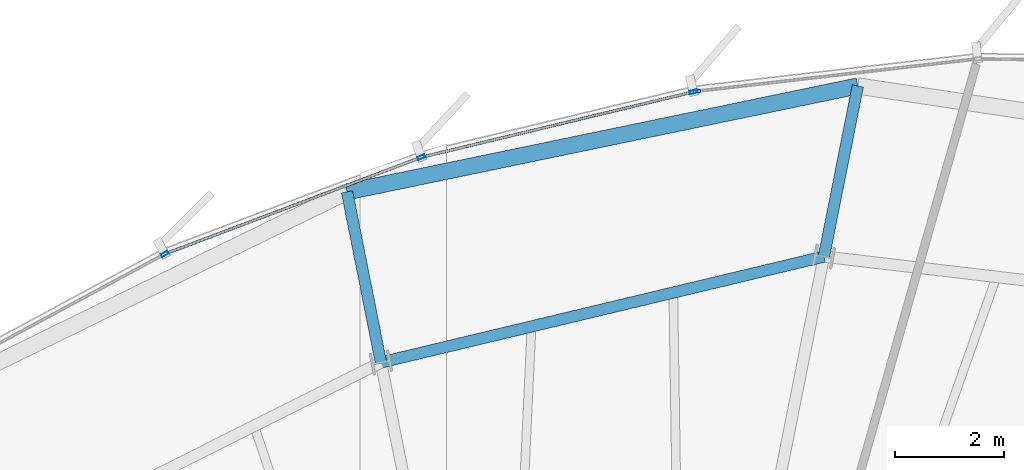
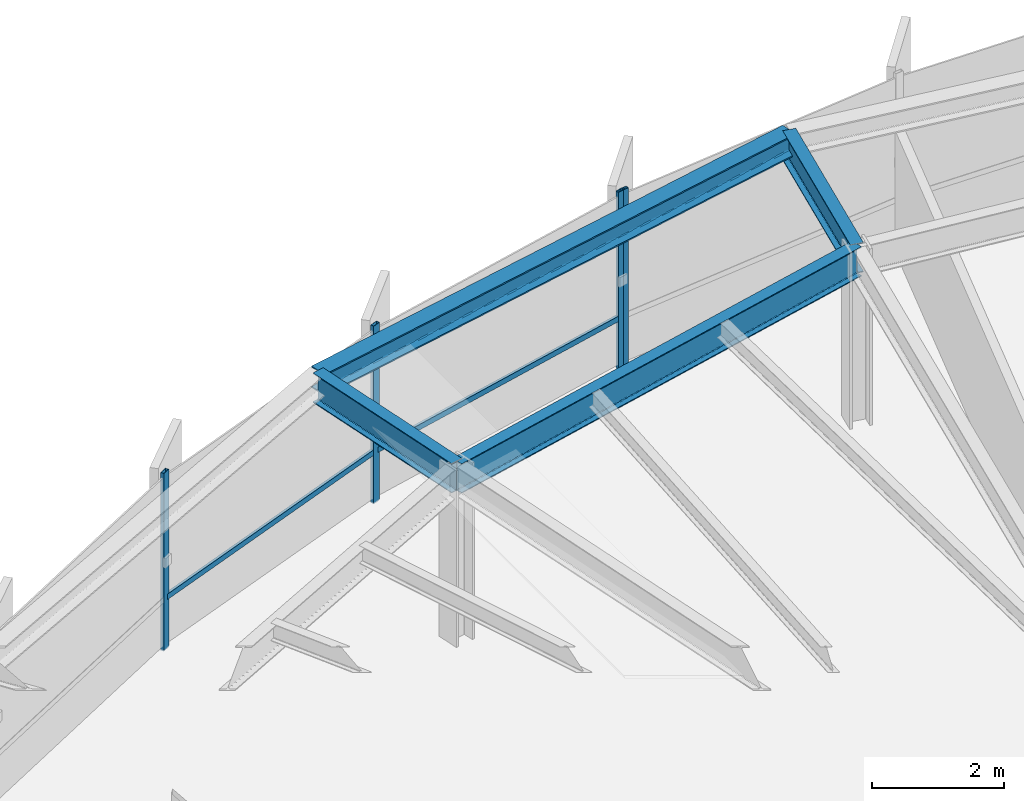
# One storey, part 24 of 36: 6 members, 4 beams, 2 elements without a shape of their own.
"""IFC4 building model written with IfcOpenShell, lengths in metres."""

from ifc_helpers import new_model, si_unit, direction, frame, origin, origin_2d, place, context, subcontext, project, spatial, hollow_rectangle, i_section, extrude, source, transform, mapped, material, layer, layer_set, material_profile, profile_set, type_object, element, aggregate, save


model = new_model("IFC4")

# Units and contexts
model_context = context("Model", 3, precision=1e-05, world=origin(), true_north=direction((0.0, 1.0)))
body_context = subcontext(model_context, "Body", "Model", "MODEL_VIEW")
ifc_project = project(units=[si_unit("LENGTHUNIT", "METRE"), si_unit("AREAUNIT", "SQUARE_METRE"), si_unit("VOLUMEUNIT", "CUBIC_METRE"), si_unit("PLANEANGLEUNIT", "RADIAN"), si_unit("MASSUNIT", "GRAM", prefix="KILO"), si_unit("THERMODYNAMICTEMPERATUREUNIT", "KELVIN")], contexts=[model_context])

# Site, building, storey
site_placement = place(None, origin())
site = spatial("IfcSite", under=ifc_project, at=site_placement, CompositionType="ELEMENT")
building_placement = place(site_placement, origin())
building = spatial("IfcBuilding", under=site, at=building_placement, Name="Kethvar Cultural Tower", CompositionType="ELEMENT")
storey_placement = place(building_placement, frame((0.0, 0.0, 164.300048828125)))
storey = spatial("IfcBuildingStorey", under=building, at=storey_placement, Name="L42", CompositionType="ELEMENT", Elevation=164.300048828125)

# Beams
ifc_material_1 = material(Name="Steel S355J2", Category="steel")
ifc_material_profile_1 = material_profile(ifc_material_1, i_section(OverallWidth=0.2099609375, OverallDepth=0.550048828125, WebThickness=0.010986328125, FlangeThickness=0.01708984375, FilletRadius=0.02392578125, at=origin_2d()), Name="Steel S355J2 — IPE550")
ifc_profile_set_1 = profile_set([ifc_material_profile_1], Name="Steel S355J2 — IPE550")
beam_type_1 = type_object("IfcBeamType", Name="BM-IPE550", PredefinedType="BEAM", material=ifc_profile_set_1)
shared_shape_1 = source(origin(), body_context, "Body", "SweptSolid", [
    extrude(i_section(OverallWidth=0.2099609375, OverallDepth=0.550048828125, WebThickness=0.010986328125, FlangeThickness=0.01708984375, FilletRadius=0.02392578125, at=origin_2d()), origin(), (0.0, 0.0, 1.0), 3.199951171875),
])
for number, where, z_axis, x_axis, name in (
    (1, (51.068603515625, 49.25927734375, 3.02294921875), (0.195088965533, 0.980785550224, 0.0), (-0.980785550224, 0.195088965533, 0.0), "L42 Perimeter Cantilever Beam RC-04"),
    (2, (42.9189453125, 47.311279296875, 3.02294921875), (-0.195088965533, 0.980785550224, 0.0), (-0.980785550224, -0.195088965533, 0.0), "L42 Perimeter Cantilever Beam RC-05"),
):
    element("IfcBeam", number, at=place(storey_placement, frame(where, z_axis=z_axis, x_axis=x_axis)), inside=storey, type_object=beam_type_1, Name=name, PredefinedType="BEAM", context=body_context, shape_type="MappedRepresentation", body=[
        mapped(shared_shape_1, transform((0.0, 0.0, 0.0), scale=1.0)),
    ])
shared_shape_2 = source(origin(), body_context, "Body", "SweptSolid", [
    extrude(i_section(OverallWidth=0.2099609375, OverallDepth=0.550048828125, WebThickness=0.010986328125, FlangeThickness=0.01708984375, FilletRadius=0.02392578125, at=origin_2d()), origin(), (0.0, 0.0, 1.0), 8.379150390625),
])
beam_1_placement = place(storey_placement, frame((51.068603515625, 49.25927734375, 3.02294921875), z_axis=(-0.972601380857, -0.232479147355, 0.0), x_axis=(0.232479147355, -0.972601380857, 0.0)))
element("IfcBeam", 3, at=beam_1_placement, inside=storey, type_object=beam_type_1, Name="L42 Column Ring Tie Beam CR-04", PredefinedType="BEAM", context=body_context, shape_type="MappedRepresentation", body=[
    mapped(shared_shape_2, transform((0.0, 0.0, 0.0), scale=1.0)),
])
ifc_material_profile_2 = material_profile(ifc_material_1, i_section(OverallWidth=0.300048828125, OverallDepth=0.39990234375, WebThickness=0.013427734375, FlangeThickness=0.02392578125, FilletRadius=0.027099609375, at=origin_2d()), Name="Steel S355J2 — HEB400")
ifc_profile_set_2 = profile_set([ifc_material_profile_2], Name="Steel S355J2 — HEB400")
beam_type_2 = type_object("IfcBeamType", Name="BM-SP400", PredefinedType="SPANDREL", material=ifc_profile_set_2)
shared_shape_3 = source(origin(), body_context, "Body", "SweptSolid", [
    extrude(i_section(OverallWidth=0.300048828125, OverallDepth=0.39990234375, WebThickness=0.013427734375, FlangeThickness=0.02392578125, FilletRadius=0.027099609375, at=origin_2d()), origin(), (0.0, 0.0, 1.0), 9.597900390625),
])
beam_2_placement = place(storey_placement, frame((51.69287109375, 52.397705078125, 3.097900390625), z_axis=(-0.979187090725, -0.202959703777, 0.0), x_axis=(0.202959703777, -0.979187090725, 0.0)))
element("IfcBeam", 4, at=beam_2_placement, inside=storey, type_object=beam_type_2, Name="L42 Perimeter Spandrel Beam SP-04", PredefinedType="SPANDREL", context=body_context, shape_type="MappedRepresentation", body=[
    mapped(shared_shape_3, transform((0.0, 0.0, 0.0), scale=1.0)),
])

# Curtain wall, member
ifc_material_2 = material(Name="Aluminium 6063-T6", Category="aluminium")
ifc_layer = layer(ifc_material_2, 0.179931640625, Name="Aluminium 6063-T6", Category="aluminium")
ifc_layer_set = layer_set([ifc_layer], Name="Aluminium 6063-T6 (180 mm)")
curtain_wall_type = type_object("IfcCurtainWallType", Name="CW-SYS-04-Z34", PredefinedType="NOTDEFINED", material=ifc_layer_set)
curtain_wall_1_placement = place(storey_placement, origin())
curtain_wall_1 = element("IfcCurtainWall", 5, at=curtain_wall_1_placement, inside=storey, type_object=curtain_wall_type, Name="L42 Curtain Wall Run 01", PredefinedType="NOTDEFINED")
ifc_material_profile_3 = material_profile(ifc_material_2, hollow_rectangle(XDim=0.06005859375, YDim=0.139892578125, WallThickness=0.0048828125, at=origin_2d()), Name="Aluminium 6063-T6 — RHS140x60x5")
ifc_profile_set_3 = profile_set([ifc_material_profile_3], Name="Aluminium 6063-T6 — RHS140x60x5")
member_type_1 = type_object("IfcMemberType", Name="CW-SYS-04-Z34-MUL", PredefinedType="MULLION", material=ifc_profile_set_3)
shared_shape_4 = source(origin(), body_context, "Body", "SweptSolid", [
    extrude(hollow_rectangle(XDim=0.06005859375, YDim=0.139892578125, WallThickness=0.0048828125, at=origin_2d()), origin(), (0.0, 0.0, 1.0), 3.300048828125),
])
member_1_placement = place(storey_placement, frame((48.73046875, 52.30078125, 0.0), z_axis=(0.0, 0.0, 1.0), x_axis=(0.114642405805, -0.993406824413, 0.0)))
member_1 = element("IfcMember", 6, at=member_1_placement, type_object=member_type_1, Name="CW-L42-R01 Mullion 7", PredefinedType="MULLION", context=body_context, shape_type="MappedRepresentation", body=[
    mapped(shared_shape_4, transform((0.0, 0.0, 0.0), scale=1.0)),
])
aggregate(curtain_wall_1, [member_1])

# Curtain wall, members
curtain_wall_2_placement = place(storey_placement, origin())
curtain_wall_2 = element("IfcCurtainWall", 7, at=curtain_wall_2_placement, inside=storey, type_object=curtain_wall_type, Name="L42 Curtain Wall Run 02", PredefinedType="NOTDEFINED")
member_2_placement = place(storey_placement, frame((48.6669921875, 52.28955078125, 0.0), z_axis=(0.0, 0.0, 1.0), x_axis=(0.233920525548, -0.972255721365, 0.0)))
member_2 = element("IfcMember", 8, at=member_2_placement, type_object=member_type_1, Name="CW-L42-R02 Mullion 1", PredefinedType="MULLION", context=body_context, shape_type="MappedRepresentation", body=[
    mapped(shared_shape_4, transform((0.0, 0.0, 0.0), scale=1.0)),
])
member_3_placement = place(storey_placement, frame((43.66357421875, 51.0869140625, 0.0), z_axis=(0.0, 0.0, 1.0), x_axis=(0.352854356108, -0.935678258471, 0.0)))
member_3 = element("IfcMember", 9, at=member_3_placement, type_object=member_type_1, Name="CW-L42-R02 Mullion 2", PredefinedType="MULLION", context=body_context, shape_type="MappedRepresentation", body=[
    mapped(shared_shape_4, transform((0.0, 0.0, 0.0), scale=1.0)),
])
member_4_placement = place(storey_placement, frame((38.9404296875, 49.306640625, 0.0), z_axis=(0.0, 0.0, 1.0), x_axis=(0.474825669577, -0.88007987337, 0.0)))
member_4 = element("IfcMember", 10, at=member_4_placement, type_object=member_type_1, Name="CW-L42-R02 Mullion 3", PredefinedType="MULLION", context=body_context, shape_type="MappedRepresentation", body=[
    mapped(shared_shape_4, transform((0.0, 0.0, 0.0), scale=1.0)),
])
ifc_material_profile_4 = material_profile(ifc_material_2, hollow_rectangle(XDim=0.050048828125, YDim=0.10009765625, WallThickness=0.00390625, at=origin_2d()), Name="Aluminium 6063-T6 — RHS100x50x4")
ifc_profile_set_4 = profile_set([ifc_material_profile_4], Name="Aluminium 6063-T6 — RHS100x50x4")
member_type_2 = type_object("IfcMemberType", Name="CW-SYS-04-Z34-TRN", PredefinedType="USERDEFINED", material=ifc_profile_set_4)
shared_shape_5 = source(origin(), body_context, "Body", "SweptSolid", [
    extrude(hollow_rectangle(XDim=0.050048828125, YDim=0.10009765625, WallThickness=0.00390625, at=origin_2d()), origin(), (0.0, 0.0, 1.0), 5.1123046875),
])
member_5_placement = place(storey_placement, frame((48.662841796875, 52.28857421875, 0.949951171875), z_axis=(-0.972269702716, -0.233862406513, 0.0), x_axis=(0.233862406513, -0.972269702716, 0.0)))
member_5 = element("IfcMember", 11, at=member_5_placement, type_object=member_type_2, Name="CW-L42-R02 Transom 1", ObjectType="TRANSOM", PredefinedType="USERDEFINED", context=body_context, shape_type="MappedRepresentation", body=[
    mapped(shared_shape_5, transform((0.0, 0.0, 0.0), scale=1.0)),
])
shared_shape_6 = source(origin(), body_context, "Body", "SweptSolid", [
    extrude(hollow_rectangle(XDim=0.050048828125, YDim=0.10009765625, WallThickness=0.00390625, at=origin_2d()), origin(), (0.0, 0.0, 1.0), 4.97607421875),
])
member_6_placement = place(storey_placement, frame((43.623291015625, 51.071533203125, 0.949951171875), z_axis=(-0.935692506933, -0.352816570571, 0.0), x_axis=(0.352816570571, -0.935692506933, 0.0)))
member_6 = element("IfcMember", 12, at=member_6_placement, type_object=member_type_2, Name="CW-L42-R02 Transom 2", ObjectType="TRANSOM", PredefinedType="USERDEFINED", context=body_context, shape_type="MappedRepresentation", body=[
    mapped(shared_shape_6, transform((0.0, 0.0, 0.0), scale=1.0)),
])
aggregate(curtain_wall_2, [member_2, member_3, member_4, member_5, member_6])

save(model, "model.ifc")
